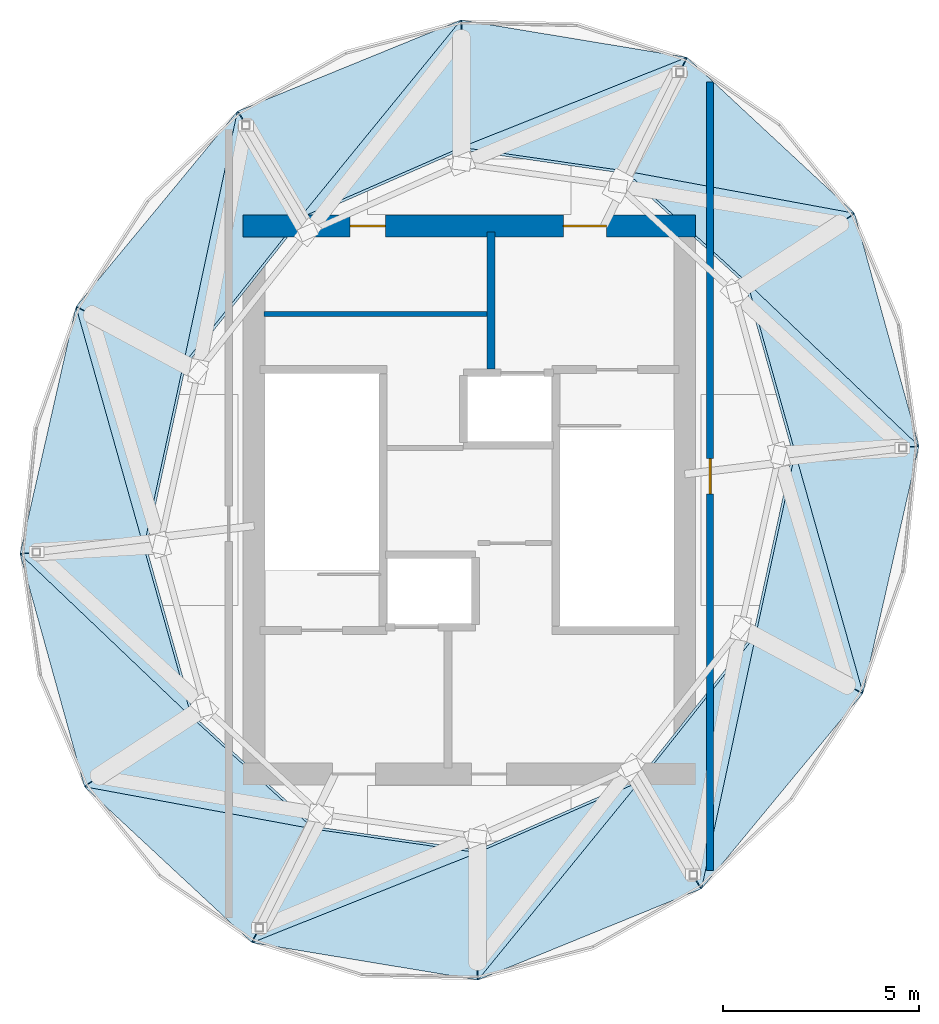
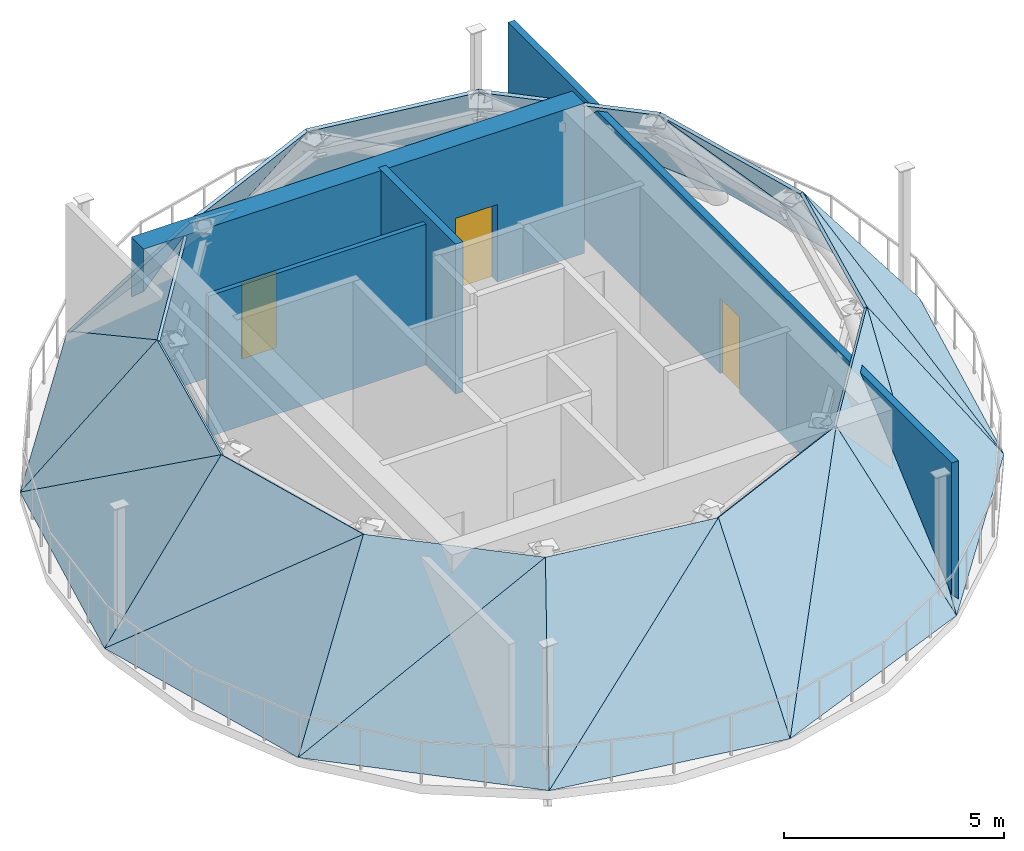
# One storey, part 3 of 4: 24 roofs, 4 walls, 3 doors, 3 openings.
"""IFC4 building model written with IfcOpenShell, lengths in metres."""

from ifc_helpers import new_model, si_unit, direction, frame, frame_2d, origin, place, context, subcontext, project, spatial, polyline, rectangle, outline, extrude, material, layer, layer_set, type_object, element, fill, save


model = new_model("IFC4")

# Units and contexts
model_context = context("Model", 3, precision=1e-05, world=origin(), true_north=direction((0.0, 1.0)))
body_context = subcontext(model_context, "Body", "Model", "MODEL_VIEW")
ifc_project = project(units=[si_unit("LENGTHUNIT", "METRE"), si_unit("AREAUNIT", "SQUARE_METRE"), si_unit("VOLUMEUNIT", "CUBIC_METRE"), si_unit("PLANEANGLEUNIT", "RADIAN"), si_unit("MASSUNIT", "GRAM", prefix="KILO")], contexts=[model_context])

# Site, building, storey
site_placement = place(None, origin())
site = spatial("IfcSite", under=ifc_project, at=site_placement, CompositionType="ELEMENT")
building_placement = place(site_placement, origin())
building = spatial("IfcBuilding", under=site, at=building_placement, Name="Veldorim Arch Residences", CompositionType="ELEMENT")
storey_placement = place(building_placement, frame((0.0, 0.0, 255.199951171875)))
storey = spatial("IfcBuildingStorey", under=building, at=storey_placement, Name="L76", CompositionType="ELEMENT", Elevation=255.199951171875)

# Wall
ifc_material_1 = material(Name="Acoustic Gypsum Board", Category="gypsum")
ifc_layer_1 = layer(ifc_material_1, 0.125, Name="Acoustic Stud Room Partition Wall 125")
ifc_layer_set_1 = layer_set([ifc_layer_1], Name="Acoustic Gypsum Board")
wall_type_1 = type_object("IfcWallType", Name="Acoustic Stud Room Partition Wall 125", PredefinedType="PARTITIONING", material=ifc_layer_set_1)
wall_1_placement = place(storey_placement, frame((26.75, 28.75, 0.0), z_axis=(0.0, 0.0, 1.0), x_axis=(1.0, 0.0, 0.0)))
element("IfcWall", 1, at=wall_1_placement, inside=storey, type_object=wall_type_1, Name="L76 interior wall WL-RB3-L76-S", PredefinedType="PARTITIONING", context=body_context, shape_type="SweptSolid", body=[
    extrude(rectangle(XDim=5.75, YDim=0.125, at=frame_2d((2.875, 0.0))), origin(), (0.0, 0.0, 1.0), 3.905029296875),
])

# Wall, opening, door
ifc_material_2 = material(Name="Lightweight Masonry Block & Gypsum", Category="masonry")
ifc_layer_2 = layer(ifc_material_2, 0.179931640625, Name="Compartment & Corridor Fire-Rated Party Wall 180")
ifc_layer_set_2 = layer_set([ifc_layer_2], Name="Lightweight Masonry Block & Gypsum")
wall_type_2 = type_object("IfcWallType", Name="Compartment & Corridor Fire-Rated Party Wall 180", PredefinedType="PARTITIONING", material=ifc_layer_set_2)
wall_2_placement = place(storey_placement, frame((38.14990234375, 34.680419921875, 0.0), z_axis=(0.0, 0.0, 1.0), x_axis=(0.0, -1.0, 0.0)))
wall_2 = element("IfcWall", 2, at=wall_2_placement, inside=storey, type_object=wall_type_2, Name="L76 interior wall WL-PLT-L76-002", PredefinedType="PARTITIONING", context=body_context, shape_type="SweptSolid", body=[
    extrude(rectangle(XDim=20.151611328125, YDim=0.179931640625, at=frame_2d((10.07568359375, 0.0))), origin(), (0.0, 0.0, 1.0), 3.905029296875),
])
opening_1_placement = place(wall_2_placement, frame((9.625732421875, 0.0, 0.0)))
opening_1 = element("IfcOpeningElement", 3, at=opening_1_placement, cuts=wall_2, Name="Opening DR-SVC", PredefinedType="OPENING", context=body_context, shape_type="SweptSolid", body=[
    extrude(rectangle(XDim=0.89990234375, YDim=2.10009765625, at=frame_2d((0.449951171875, 1.050048828125))), frame((0.0, 0.099853515625, 0.0), z_axis=(0.0, -1.0, 0.0), x_axis=(1.0, 0.0, 0.0)), (0.0, 0.0, 1.0), 0.199951171875),
])
ifc_material_3 = material(Name="Fire-Rated Steel", Category="steel")
door_type_1 = type_object("IfcDoorType", Name="Riser, Shelter & Plant Room Rated Steel Door 900x2100", OperationType="SINGLE_SWING_LEFT", PredefinedType="DOOR", material=ifc_material_3)
door_1_placement = place(opening_1_placement, origin())
door_1 = element("IfcDoor", 4, at=door_1_placement, inside=storey, type_object=door_type_1, Name="L76 interior door DR-PLT-L76-002", OperationType="SINGLE_SWING_RIGHT", OverallHeight=2.10009765625, OverallWidth=0.89990234375, PredefinedType="DOOR", context=body_context, shape_type="SweptSolid", body=[
    extrude(rectangle(XDim=0.89990234375, YDim=2.10009765625, at=frame_2d((0.449951171875, 1.050048828125))), frame((0.0, 0.02490234375, 0.0), z_axis=(0.0, -1.0, 0.0), x_axis=(1.0, 0.0, 0.0)), (0.0, 0.0, 1.0), 0.050048828125),
])
fill(opening_1, door_1)

# Wall
ifc_material_4 = material(Name="Concrete C50/60", Category="concrete")
ifc_layer_3 = layer(ifc_material_4, 0.199951171875, Name="Core Stair & Lift Shaft Enclosure Wall 200")
ifc_layer_set_3 = layer_set([ifc_layer_3], Name="Concrete C50/60")
wall_type_3 = type_object("IfcWallType", Name="Core Stair & Lift Shaft Enclosure Wall 200", PredefinedType="SHEAR", material=ifc_layer_set_3)
wall_3_placement = place(storey_placement, frame((32.550048828125, 27.35009765625, 0.0), z_axis=(0.0, 0.0, 1.0), x_axis=(0.0, 1.0, 0.0)))
element("IfcWall", 5, at=wall_3_placement, inside=storey, type_object=wall_type_3, Name="L76 shaft wall WL-FFL2-L76-W", PredefinedType="SHEAR", context=body_context, shape_type="SweptSolid", body=[
    extrude(rectangle(XDim=3.5, YDim=0.199951171875, at=frame_2d((1.75, 0.0))), origin(), (0.0, 0.0, 1.0), 4.16015625),
])

# Wall, openings, doors
ifc_material_5 = material(Name="Concrete C50/60", Category="concrete")
ifc_layer_4 = layer(ifc_material_5, 0.5, Name="Upper Central Core Shear Wall 560")
ifc_layer_set_4 = layer_set([ifc_layer_4], Name="Concrete C50/60")
wall_type_4 = type_object("IfcWallType", Name="Upper Central Core Shear Wall 560", PredefinedType="SHEAR", material=ifc_layer_set_4)
wall_4_placement = place(storey_placement, frame((26.219970703125, 31.0, 0.0), z_axis=(0.0, 0.0, 1.0), x_axis=(1.0, 0.0, 0.0)))
wall_4 = element("IfcWall", 6, at=wall_4_placement, inside=storey, type_object=wall_type_4, Name="L76 central core north shear wall", PredefinedType="SHEAR", context=body_context, shape_type="SweptSolid", body=[
    extrude(rectangle(XDim=11.56005859375, YDim=0.56005859375, at=frame_2d((5.780029296875, 0.0))), origin(), (0.0, 0.0, 1.0), 4.16015625),
])
opening_2_placement = place(wall_4_placement, frame((8.179931640625, 0.0, 0.0)))
opening_2 = element("IfcOpeningElement", 7, at=opening_2_placement, cuts=wall_4, Name="Opening DR-FFL", PredefinedType="OPENING", context=body_context, shape_type="SweptSolid", body=[
    extrude(rectangle(XDim=1.10009765625, YDim=2.14990234375, at=frame_2d((0.550048828125, 1.074951171875))), frame((0.0, 0.2900390625, 0.0), z_axis=(0.0, -1.0, 0.0), x_axis=(1.0, 0.0, 0.0)), (0.0, 0.0, 1.0), 0.580078125),
])
opening_3_placement = place(wall_4_placement, frame((2.72998046875, 0.0, 0.0)))
opening_3 = element("IfcOpeningElement", 8, at=opening_3_placement, cuts=wall_4, Name="Opening DR-SVC", PredefinedType="OPENING", context=body_context, shape_type="SweptSolid", body=[
    extrude(rectangle(XDim=0.89990234375, YDim=2.10009765625, at=frame_2d((0.449951171875, 1.050048828125))), frame((0.0, 0.2900390625, 0.0), z_axis=(0.0, -1.0, 0.0), x_axis=(1.0, 0.0, 0.0)), (0.0, 0.0, 1.0), 0.580078125),
])
ifc_material_6 = material(Name="Fire-Rated Steel & Vision Glass", Category="steel")
door_type_2 = type_object("IfcDoorType", Name="Firefighting Lobby Smoke-Stop Fire Door 1100x2150", OperationType="SINGLE_SWING_LEFT", PredefinedType="DOOR", material=ifc_material_6)
door_2_placement = place(opening_2_placement, origin())
door_2 = element("IfcDoor", 9, at=door_2_placement, inside=storey, type_object=door_type_2, Name="L76 interior door DR-L76-FFL2", OperationType="SINGLE_SWING_LEFT", OverallHeight=2.14990234375, OverallWidth=1.10009765625, PredefinedType="DOOR", context=body_context, shape_type="SweptSolid", body=[
    extrude(rectangle(XDim=1.10009765625, YDim=2.14990234375, at=frame_2d((0.550048828125, 1.074951171875))), frame((0.0, 0.02490234375, 0.0), z_axis=(0.0, -1.0, 0.0), x_axis=(1.0, 0.0, 0.0)), (0.0, 0.0, 1.0), 0.050048828125),
])
fill(opening_2, door_2)
door_3_placement = place(opening_3_placement, origin())
door_3 = element("IfcDoor", 10, at=door_3_placement, inside=storey, type_object=door_type_1, Name="L76 interior door DR-L76-RB3", OperationType="SINGLE_SWING_LEFT", OverallHeight=2.10009765625, OverallWidth=0.89990234375, PredefinedType="DOOR", context=body_context, shape_type="SweptSolid", body=[
    extrude(rectangle(XDim=0.89990234375, YDim=2.10009765625, at=frame_2d((0.449951171875, 1.050048828125))), frame((0.0, 0.02490234375, 0.0), z_axis=(0.0, -1.0, 0.0), x_axis=(1.0, 0.0, 0.0)), (0.0, 0.0, 1.0), 0.050048828125),
])
fill(opening_3, door_3)

# Roofs
ifc_material_7 = material(Name="Laminated Low-E Glass", Category="glass")
ifc_layer_5 = layer(ifc_material_7, 0.080078125, Name="Glass-Point Crown Laminated Double-Glazed Roof Facet")
ifc_layer_set_5 = layer_set([ifc_layer_5], Name="Laminated Low-E Glass")
roof_type = type_object("IfcRoofType", Name="Glass-Point Crown Laminated Double-Glazed Roof Facet", PredefinedType="PAVILION_ROOF", material=ifc_layer_set_5)
roof_1_placement = place(storey_placement, frame((37.55517578125, 35.309326171875, 0.0), z_axis=(0.129130189216, 0.781226076912, 0.610746437555), x_axis=(-0.986613022875, 0.163078947429, 0.0)))
element("IfcRoof", 11, at=roof_1_placement, inside=storey, type_object=roof_type, Name="L76 tapering glass-point crown facet 01A", PredefinedType="PAVILION_ROOF", context=body_context, shape_type="SweptSolid", body=[
    extrude(outline(polyline([(0.0, 0.0), (5.849053093087977, 1.1102230246251565e-16), (5.314955658790546, 5.253875228624571), (0.0, 0.0)])), origin(), (0.0, 0.0, -1.0), 0.080078125),
])
roof_2_placement = place(storey_placement, frame((37.55517578125, 35.309326171875, 0.0), z_axis=(0.114407271297, 0.793818992389, 0.597295892834), x_axis=(-0.771680478009, -0.307633352866, 0.556660542938)))
element("IfcRoof", 12, at=roof_2_placement, inside=storey, type_object=roof_type, Name="L76 tapering glass-point crown facet 01B", PredefinedType="PAVILION_ROOF", context=body_context, shape_type="SweptSolid", body=[
    extrude(outline(polyline([(0.0, 0.0), (7.473416793733943, -4.440892098500626e-16), (4.426422643216436, 2.937656279428869), (0.0, 0.0)])), origin(), (0.0, 0.0, -1.0), 0.080078125),
])
roof_3_placement = place(storey_placement, frame((31.784423828125, 36.26318359375, 0.0), z_axis=(-0.302121066653, 0.740043228273, 0.600881753236), x_axis=(-0.925820238177, -0.377964133988, 0.0)))
element("IfcRoof", 13, at=roof_3_placement, inside=storey, type_object=roof_type, Name="L76 tapering glass-point crown facet 03A", PredefinedType="PAVILION_ROOF", context=body_context, shape_type="SweptSolid", body=[
    extrude(outline(polyline([(0.0, 0.0), (6.1706262073575555, -2.220446049250313e-16), (5.736437501699256, 5.204502525101544), (0.0, 0.0)])), origin(), (0.0, 0.0, -1.0), 0.080078125),
])
roof_4_placement = place(storey_placement, frame((31.784423828125, 36.26318359375, 0.0), z_axis=(-0.326194595157, 0.744538283742, 0.582460153257), x_axis=(-0.533068105815, -0.653727088139, 0.537102679937)))
element("IfcRoof", 14, at=roof_4_placement, inside=storey, type_object=roof_type, Name="L76 tapering glass-point crown facet 03B", PredefinedType="PAVILION_ROOF", context=body_context, shape_type="SweptSolid", body=[
    extrude(outline(polyline([(0.0, 0.0), (7.745551093672415, 8.881784197001252e-16), (4.359007169654607, 2.9811946401028093), (0.0, 0.0)])), origin(), (0.0, 0.0, -1.0), 0.080078125),
])
roof_5_placement = place(storey_placement, frame((26.071533203125, 33.930908203125, 0.0), z_axis=(-0.621535620458, 0.51337772523, 0.591723570377), x_axis=(-0.63683370899, -0.771001184885, 0.0)))
element("IfcRoof", 15, at=roof_5_placement, inside=storey, type_object=roof_type, Name="L76 tapering glass-point crown facet 05A", PredefinedType="PAVILION_ROOF", context=body_context, shape_type="SweptSolid", body=[
    extrude(outline(polyline([(0.0, 0.0), (6.4762080271571385, 0.0), (5.870662484216399, 5.160581779193837), (0.0, 0.0)])), origin(), (0.0, 0.0, -1.0), 0.080078125),
])
roof_6_placement = place(storey_placement, frame((26.071533203125, 33.930908203125, 0.0), z_axis=(-0.639755951365, 0.507778617097, 0.576951643305), x_axis=(-0.177098840899, -0.827866803884, 0.532233553601)))
element("IfcRoof", 16, at=roof_6_placement, inside=storey, type_object=roof_type, Name="L76 tapering glass-point crown facet 05B", PredefinedType="PAVILION_ROOF", context=body_context, shape_type="SweptSolid", body=[
    extrude(outline(polyline([(0.0, 0.0), (7.816411088430117, 0.0), (4.194723732583148, 3.1112150637995573), (0.0, 0.0)])), origin(), (0.0, 0.0, -1.0), 0.080078125),
])
roof_7_placement = place(storey_placement, frame((21.947265625, 28.937744140625, 0.0), z_axis=(-0.78694939792, 0.178250685007, 0.5907091826), x_axis=(-0.220912257051, -0.975293686376, 0.0)))
element("IfcRoof", 17, at=roof_7_placement, inside=storey, type_object=roof_type, Name="L76 tapering glass-point crown facet 07A", PredefinedType="PAVILION_ROOF", context=body_context, shape_type="SweptSolid", body=[
    extrude(outline(polyline([(0.0, 0.0), (6.47616425452856, 0.0), (5.610332909232933, 5.155825947241857), (0.0, 0.0)])), origin(), (0.0, 0.0, -1.0), 0.080078125),
])
roof_8_placement = place(storey_placement, frame((21.947265625, 28.937744140625, 0.0), z_axis=(-0.793648134535, 0.171600718809, 0.583674422819), x_axis=(0.227171498782, -0.806410759005, 0.545980583814)))
element("IfcRoof", 18, at=roof_8_placement, inside=storey, type_object=roof_type, Name="L76 tapering glass-point crown facet 07B", PredefinedType="PAVILION_ROOF", context=body_context, shape_type="SweptSolid", body=[
    extrude(outline(polyline([(0.0, 0.0), (7.619604750292133, 0.0), (4.085512500801955, 3.210432573675045), (0.0, 0.0)])), origin(), (0.0, 0.0, -1.0), 0.080078125),
])
roof_9_placement = place(storey_placement, frame((20.5166015625, 22.62158203125, 0.0), z_axis=(-0.77184227858, -0.213668301358, 0.598836667206), x_axis=(0.266794843979, -0.963753345637, 0.0)))
element("IfcRoof", 19, at=roof_9_placement, inside=storey, type_object=roof_type, Name="L76 tapering glass-point crown facet 09A", PredefinedType="PAVILION_ROOF", context=body_context, shape_type="SweptSolid", body=[
    extrude(outline(polyline([(0.0, 0.0), (6.170434967278512, 0.0), (5.189905130494109, 5.19453859366786), (0.0, 0.0)])), origin(), (0.0, 0.0, -1.0), 0.080078125),
])
roof_10_placement = place(storey_placement, frame((20.5166015625, 22.62158203125, 0.0), z_axis=(-0.772819406358, -0.217237358844, 0.596286923451), x_axis=(0.596843428452, -0.568149991944, 0.566554065)))
element("IfcRoof", 20, at=roof_10_placement, inside=storey, type_object=roof_type, Name="L76 tapering glass-point crown facet 09B", PredefinedType="PAVILION_ROOF", context=body_context, shape_type="SweptSolid", body=[
    extrude(outline(polyline([(0.0, 0.0), (7.342911307147455, -4.440892098500626e-16), (4.146434136161207, 3.1842250346396495), (0.0, 0.0)])), origin(), (0.0, 0.0, -1.0), 0.080078125),
])
roof_11_placement = place(storey_placement, frame((22.162841796875, 16.6748046875, 0.0), z_axis=(-0.53993009841, -0.580294993321, 0.60969927797), x_axis=(0.732110729264, -0.681185642902, 0.0)))
element("IfcRoof", 21, at=roof_11_placement, inside=storey, type_object=roof_type, Name="L76 tapering glass-point crown facet 11A", PredefinedType="PAVILION_ROOF", context=body_context, shape_type="SweptSolid", body=[
    extrude(outline(polyline([(0.0, 0.0), (5.8488180144257065, 2.220446049250313e-16), (5.026634017630459, 5.248528870822838), (0.0, 0.0)])), origin(), (0.0, 0.0, -1.0), 0.080078125),
])
roof_12_placement = place(storey_placement, frame((22.162841796875, 16.6748046875, 0.0), z_axis=(-0.537598891977, -0.587916935119, 0.604434536361), x_axis=(0.806329449469, -0.148788981406, 0.572446205273)))
element("IfcRoof", 22, at=roof_12_placement, inside=storey, type_object=roof_type, Name="L76 tapering glass-point crown facet 11B", PredefinedType="PAVILION_ROOF", context=body_context, shape_type="SweptSolid", body=[
    extrude(outline(polyline([(0.0, 0.0), (7.267331343420402, -4.440892098500626e-16), (4.32376169743088, 3.0413409453329887), (0.0, 0.0)])), origin(), (0.0, 0.0, -1.0), 0.080078125),
])
roof_13_placement = place(storey_placement, frame((26.44482421875, 12.690673828125, 0.0), z_axis=(-0.129130189216, -0.781226076912, 0.610746437555), x_axis=(0.986613022875, -0.163078947429, 0.0)))
element("IfcRoof", 23, at=roof_13_placement, inside=storey, type_object=roof_type, Name="L76 tapering glass-point crown facet 13A", PredefinedType="PAVILION_ROOF", context=body_context, shape_type="SweptSolid", body=[
    extrude(outline(polyline([(0.0, 0.0), (5.849053093087977, 1.1102230246251565e-16), (5.314955658790546, 5.253875228624571), (0.0, 0.0)])), origin(), (0.0, 0.0, -1.0), 0.080078125),
])
roof_14_placement = place(storey_placement, frame((26.44482421875, 12.690673828125, 0.0), z_axis=(-0.114407271297, -0.793818992389, 0.597295892834), x_axis=(0.771680478009, 0.307633352866, 0.556660542938)))
element("IfcRoof", 24, at=roof_14_placement, inside=storey, type_object=roof_type, Name="L76 tapering glass-point crown facet 13B", PredefinedType="PAVILION_ROOF", context=body_context, shape_type="SweptSolid", body=[
    extrude(outline(polyline([(0.0, 0.0), (7.473416793733943, -4.440892098500626e-16), (4.426422643216436, 2.937656279428869), (0.0, 0.0)])), origin(), (0.0, 0.0, -1.0), 0.080078125),
])
roof_15_placement = place(storey_placement, frame((32.215576171875, 11.73681640625, 0.0), z_axis=(0.302121066653, -0.740043228273, 0.600881753236), x_axis=(0.925820238177, 0.377964133988, 0.0)))
element("IfcRoof", 25, at=roof_15_placement, inside=storey, type_object=roof_type, Name="L76 tapering glass-point crown facet 15A", PredefinedType="PAVILION_ROOF", context=body_context, shape_type="SweptSolid", body=[
    extrude(outline(polyline([(0.0, 0.0), (6.1706262073575555, -2.220446049250313e-16), (5.736437501699256, 5.204502525101544), (0.0, 0.0)])), origin(), (0.0, 0.0, -1.0), 0.080078125),
])
roof_16_placement = place(storey_placement, frame((32.215576171875, 11.73681640625, 0.0), z_axis=(0.326194595157, -0.744538283742, 0.582460153257), x_axis=(0.533068105815, 0.653727088139, 0.537102679937)))
element("IfcRoof", 26, at=roof_16_placement, inside=storey, type_object=roof_type, Name="L76 tapering glass-point crown facet 15B", PredefinedType="PAVILION_ROOF", context=body_context, shape_type="SweptSolid", body=[
    extrude(outline(polyline([(0.0, 0.0), (7.745551093672415, 8.881784197001252e-16), (4.359007169654607, 2.9811946401028093), (0.0, 0.0)])), origin(), (0.0, 0.0, -1.0), 0.080078125),
])
roof_17_placement = place(storey_placement, frame((37.928466796875, 14.069091796875, 0.0), z_axis=(0.621535620458, -0.51337772523, 0.591723570377), x_axis=(0.63683370899, 0.771001184885, 0.0)))
element("IfcRoof", 27, at=roof_17_placement, inside=storey, type_object=roof_type, Name="L76 tapering glass-point crown facet 17A", PredefinedType="PAVILION_ROOF", context=body_context, shape_type="SweptSolid", body=[
    extrude(outline(polyline([(0.0, 0.0), (6.4762080271571385, 0.0), (5.870662484216399, 5.160581779193837), (0.0, 0.0)])), origin(), (0.0, 0.0, -1.0), 0.080078125),
])
roof_18_placement = place(storey_placement, frame((37.928466796875, 14.069091796875, 0.0), z_axis=(0.639755951365, -0.507778617097, 0.576951643305), x_axis=(0.177098840899, 0.827866803884, 0.532233553601)))
element("IfcRoof", 28, at=roof_18_placement, inside=storey, type_object=roof_type, Name="L76 tapering glass-point crown facet 17B", PredefinedType="PAVILION_ROOF", context=body_context, shape_type="SweptSolid", body=[
    extrude(outline(polyline([(0.0, 0.0), (7.816411088430117, 0.0), (4.194723732583148, 3.1112150637995573), (0.0, 0.0)])), origin(), (0.0, 0.0, -1.0), 0.080078125),
])
roof_19_placement = place(storey_placement, frame((42.052734375, 19.062255859375, 0.0), z_axis=(0.78694939792, -0.178250685007, 0.5907091826), x_axis=(0.220912257051, 0.975293686376, 0.0)))
element("IfcRoof", 29, at=roof_19_placement, inside=storey, type_object=roof_type, Name="L76 tapering glass-point crown facet 19A", PredefinedType="PAVILION_ROOF", context=body_context, shape_type="SweptSolid", body=[
    extrude(outline(polyline([(0.0, 0.0), (6.47616425452856, 0.0), (5.610332909232933, 5.155825947241857), (0.0, 0.0)])), origin(), (0.0, 0.0, -1.0), 0.080078125),
])
roof_20_placement = place(storey_placement, frame((42.052734375, 19.062255859375, 0.0), z_axis=(0.793648134535, -0.171600718809, 0.583674422819), x_axis=(-0.227171498782, 0.806410759005, 0.545980583814)))
element("IfcRoof", 30, at=roof_20_placement, inside=storey, type_object=roof_type, Name="L76 tapering glass-point crown facet 19B", PredefinedType="PAVILION_ROOF", context=body_context, shape_type="SweptSolid", body=[
    extrude(outline(polyline([(0.0, 0.0), (7.619604750292133, 0.0), (4.085512500801955, 3.210432573675045), (0.0, 0.0)])), origin(), (0.0, 0.0, -1.0), 0.080078125),
])
roof_21_placement = place(storey_placement, frame((43.4833984375, 25.37841796875, 0.0), z_axis=(0.77184227858, 0.213668301358, 0.598836667206), x_axis=(-0.266794843979, 0.963753345637, 0.0)))
element("IfcRoof", 31, at=roof_21_placement, inside=storey, type_object=roof_type, Name="L76 tapering glass-point crown facet 21A", PredefinedType="PAVILION_ROOF", context=body_context, shape_type="SweptSolid", body=[
    extrude(outline(polyline([(0.0, 0.0), (6.170434967278512, 0.0), (5.189905130494109, 5.19453859366786), (0.0, 0.0)])), origin(), (0.0, 0.0, -1.0), 0.080078125),
])
roof_22_placement = place(storey_placement, frame((43.4833984375, 25.37841796875, 0.0), z_axis=(0.772819406358, 0.217237358844, 0.596286923451), x_axis=(-0.596843428452, 0.568149991944, 0.566554065)))
element("IfcRoof", 32, at=roof_22_placement, inside=storey, type_object=roof_type, Name="L76 tapering glass-point crown facet 21B", PredefinedType="PAVILION_ROOF", context=body_context, shape_type="SweptSolid", body=[
    extrude(outline(polyline([(0.0, 0.0), (7.342911307147455, -4.440892098500626e-16), (4.146434136161207, 3.1842250346396495), (0.0, 0.0)])), origin(), (0.0, 0.0, -1.0), 0.080078125),
])
roof_23_placement = place(storey_placement, frame((41.837158203125, 31.3251953125, 0.0), z_axis=(0.53993009841, 0.580294993321, 0.60969927797), x_axis=(-0.732110729264, 0.681185642902, 0.0)))
element("IfcRoof", 33, at=roof_23_placement, inside=storey, type_object=roof_type, Name="L76 tapering glass-point crown facet 23A", PredefinedType="PAVILION_ROOF", context=body_context, shape_type="SweptSolid", body=[
    extrude(outline(polyline([(0.0, 0.0), (5.8488180144257065, 2.220446049250313e-16), (5.026634017630459, 5.248528870822838), (0.0, 0.0)])), origin(), (0.0, 0.0, -1.0), 0.080078125),
])
roof_24_placement = place(storey_placement, frame((41.837158203125, 31.3251953125, 0.0), z_axis=(0.537598891977, 0.587916935119, 0.604434536361), x_axis=(-0.806329449469, 0.148788981406, 0.572446205273)))
element("IfcRoof", 34, at=roof_24_placement, inside=storey, type_object=roof_type, Name="L76 tapering glass-point crown facet 23B", PredefinedType="PAVILION_ROOF", context=body_context, shape_type="SweptSolid", body=[
    extrude(outline(polyline([(0.0, 0.0), (7.267331343420402, -4.440892098500626e-16), (4.32376169743088, 3.0413409453329887), (0.0, 0.0)])), origin(), (0.0, 0.0, -1.0), 0.080078125),
])

save(model, "model.ifc")
